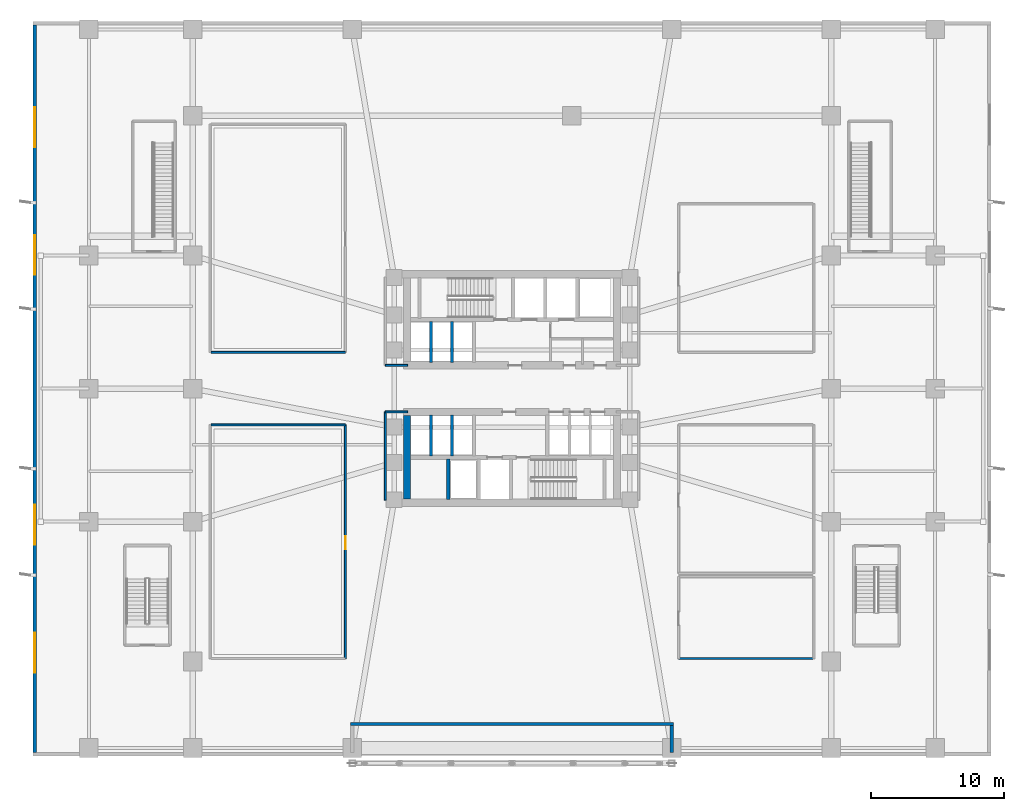
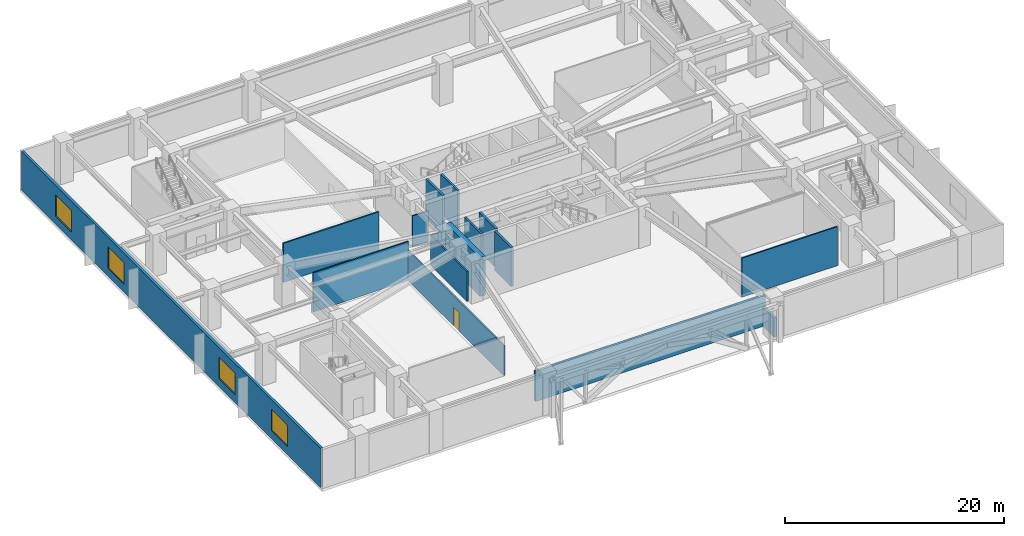
# One storey, part 12 of 21: 16 walls, 4 windows, 1 door, 5 openings.
"""IFC4 building model written with IfcOpenShell, lengths in metres."""

from ifc_helpers import new_model, si_unit, direction, frame, frame_2d, origin, place, context, subcontext, project, spatial, rectangle, extrude, material, layer, layer_set, type_object, element, fill, save


model = new_model("IFC4")

# Units and contexts
model_context = context("Model", 3, precision=1e-05, world=origin(), true_north=direction((0.0, 1.0)))
body_context = subcontext(model_context, "Body", "Model", "MODEL_VIEW")
ifc_project = project(units=[si_unit("LENGTHUNIT", "METRE"), si_unit("AREAUNIT", "SQUARE_METRE"), si_unit("VOLUMEUNIT", "CUBIC_METRE"), si_unit("PLANEANGLEUNIT", "RADIAN"), si_unit("MASSUNIT", "GRAM", prefix="KILO")], contexts=[model_context])

# Site, building, storey
site_placement = place(None, origin())
site = spatial("IfcSite", under=ifc_project, at=site_placement, CompositionType="ELEMENT")
building_placement = place(site_placement, origin())
building = spatial("IfcBuilding", under=site, at=building_placement, Name="Solmarez Civic Tower", CompositionType="ELEMENT")
storey_placement = place(building_placement, frame((0.0, 0.0, 10.080078125)))
storey = spatial("IfcBuildingStorey", under=building, at=storey_placement, Name="L02", CompositionType="ELEMENT", Elevation=10.080078125)

# Wall
ifc_material_1 = material(Name="Concrete C60/75", Category="concrete")
ifc_layer_1 = layer(ifc_material_1, 0.550048828125)
ifc_layer_set_1 = layer_set([ifc_layer_1], Name="Concrete C60/75")
wall_type_1 = type_object("IfcWallType", Name="WALL-CORE-550", PredefinedType="SHEAR", material=ifc_layer_set_1)
wall_1_placement = place(storey_placement, frame((-7.89501953125, -8.31005859375, 0.0), z_axis=(0.0, 0.0, 1.0), x_axis=(0.0, 1.0, 0.0)))
element("IfcWall", 1, at=wall_1_placement, inside=storey, type_object=wall_type_1, Name="L02 Split-Core Structural Wall SCW-W-L02", PredefinedType="SHEAR", context=body_context, shape_type="SweptSolid", body=[
    extrude(rectangle(XDim=6.28515625, YDim=0.550048828125, at=frame_2d((3.142578125, 0.0))), origin(), (0.0, 0.0, 1.0), 4.35986328125),
])

# Wall, openings, windows
ifc_material_2 = material(Name="Precast concrete C40/50", Category="concrete")
ifc_layer_2 = layer(ifc_material_2, 0.260009765625)
ifc_layer_set_2 = layer_set([ifc_layer_2], Name="Precast concrete C40/50")
wall_type_2 = type_object("IfcWallType", Name="WALL-EXT-260", PredefinedType="SOLIDWALL", material=ifc_layer_set_2)
wall_2_placement = place(storey_placement, frame((-35.8701171875, -27.340087890625, 0.0), z_axis=(0.0, 0.0, 1.0), x_axis=(0.0, 1.0, 0.0)))
wall_2 = element("IfcWall", 2, at=wall_2_placement, inside=storey, type_object=wall_type_2, Name="L02 West Exterior Precast Wall", PredefinedType="SOLIDWALL", context=body_context, shape_type="SweptSolid", body=[
    extrude(rectangle(XDim=54.68017578125, YDim=0.260009765625, at=frame_2d((27.340087890625, 0.0))), origin(), (0.0, 0.0, 1.0), 4.35986328125),
])
opening_1_placement = place(wall_2_placement, frame((6.0, 0.0, 0.89990234375)))
opening_1 = element("IfcOpeningElement", 3, at=opening_1_placement, cuts=wall_2, Name="Opening W-15", PredefinedType="OPENING", context=body_context, shape_type="SweptSolid", body=[
    extrude(rectangle(XDim=3.0, YDim=2.39990234375, at=frame_2d((1.5, 1.199951171875))), frame((0.0, 0.139892578125, 0.0), z_axis=(0.0, -1.0, 0.0), x_axis=(1.0, 0.0, 0.0)), (0.0, 0.0, 1.0), 0.280029296875),
])
opening_2_placement = place(wall_2_placement, frame((15.60009765625, 0.0, 0.89990234375)))
opening_2 = element("IfcOpeningElement", 4, at=opening_2_placement, cuts=wall_2, Name="Opening W-15", PredefinedType="OPENING", context=body_context, shape_type="SweptSolid", body=[
    extrude(rectangle(XDim=3.0, YDim=2.39990234375, at=frame_2d((1.5, 1.199951171875))), frame((0.0, 0.139892578125, 0.0), z_axis=(0.0, -1.0, 0.0), x_axis=(1.0, 0.0, 0.0)), (0.0, 0.0, 1.0), 0.280029296875),
])
opening_3_placement = place(wall_2_placement, frame((35.8798828125, 0.0, 0.89990234375)))
opening_3 = element("IfcOpeningElement", 5, at=opening_3_placement, cuts=wall_2, Name="Opening W-15", PredefinedType="OPENING", context=body_context, shape_type="SweptSolid", body=[
    extrude(rectangle(XDim=3.0, YDim=2.39990234375, at=frame_2d((1.5, 1.199951171875))), frame((0.0, 0.139892578125, 0.0), z_axis=(0.0, -1.0, 0.0), x_axis=(1.0, 0.0, 0.0)), (0.0, 0.0, 1.0), 0.280029296875),
])
opening_4_placement = place(wall_2_placement, frame((45.47998046875, 0.0, 0.89990234375)))
opening_4 = element("IfcOpeningElement", 6, at=opening_4_placement, cuts=wall_2, Name="Opening W-15", PredefinedType="OPENING", context=body_context, shape_type="SweptSolid", body=[
    extrude(rectangle(XDim=3.0, YDim=2.39990234375, at=frame_2d((1.5, 1.199951171875))), frame((0.0, 0.139892578125, 0.0), z_axis=(0.0, -1.0, 0.0), x_axis=(1.0, 0.0, 0.0)), (0.0, 0.0, 1.0), 0.280029296875),
])
ifc_material_3 = material(Name="Solar Control Bronze-Tinted Insulating Glass", Category="glass")
window_type = type_object("IfcWindowType", Name="WIN-3000X2400", PartitioningType="SINGLE_PANEL", PredefinedType="WINDOW", material=ifc_material_3)
window_1_placement = place(opening_1_placement, origin())
window_1 = element("IfcWindow", 7, at=window_1_placement, inside=storey, type_object=window_type, Name="L02 Podium Facade Window 1", OverallHeight=2.39990234375, OverallWidth=3.0, PartitioningType="SINGLE_PANEL", PredefinedType="WINDOW", context=body_context, shape_type="SweptSolid", body=[
    extrude(rectangle(XDim=3.0, YDim=2.39990234375, at=frame_2d((1.5, 1.199951171875))), frame((0.0, 0.030029296875, 0.0), z_axis=(0.0, -1.0, 0.0), x_axis=(1.0, 0.0, 0.0)), (0.0, 0.0, 1.0), 0.06005859375),
])
fill(opening_1, window_1)
window_2_placement = place(opening_2_placement, origin())
window_2 = element("IfcWindow", 8, at=window_2_placement, inside=storey, type_object=window_type, Name="L02 Podium Facade Window 2", OverallHeight=2.39990234375, OverallWidth=3.0, PartitioningType="SINGLE_PANEL", PredefinedType="WINDOW", context=body_context, shape_type="SweptSolid", body=[
    extrude(rectangle(XDim=3.0, YDim=2.39990234375, at=frame_2d((1.5, 1.199951171875))), frame((0.0, 0.030029296875, 0.0), z_axis=(0.0, -1.0, 0.0), x_axis=(1.0, 0.0, 0.0)), (0.0, 0.0, 1.0), 0.06005859375),
])
fill(opening_2, window_2)
window_3_placement = place(opening_3_placement, origin())
window_3 = element("IfcWindow", 9, at=window_3_placement, inside=storey, type_object=window_type, Name="L02 Podium Facade Window 3", OverallHeight=2.39990234375, OverallWidth=3.0, PartitioningType="SINGLE_PANEL", PredefinedType="WINDOW", context=body_context, shape_type="SweptSolid", body=[
    extrude(rectangle(XDim=3.0, YDim=2.39990234375, at=frame_2d((1.5, 1.199951171875))), frame((0.0, 0.030029296875, 0.0), z_axis=(0.0, -1.0, 0.0), x_axis=(1.0, 0.0, 0.0)), (0.0, 0.0, 1.0), 0.06005859375),
])
fill(opening_3, window_3)
window_4_placement = place(opening_4_placement, origin())
window_4 = element("IfcWindow", 10, at=window_4_placement, inside=storey, type_object=window_type, Name="L02 Podium Facade Window 4", OverallHeight=2.39990234375, OverallWidth=3.0, PartitioningType="SINGLE_PANEL", PredefinedType="WINDOW", context=body_context, shape_type="SweptSolid", body=[
    extrude(rectangle(XDim=3.0, YDim=2.39990234375, at=frame_2d((1.5, 1.199951171875))), frame((0.0, 0.030029296875, 0.0), z_axis=(0.0, -1.0, 0.0), x_axis=(1.0, 0.0, 0.0)), (0.0, 0.0, 1.0), 0.06005859375),
])
fill(opening_4, window_4)

# Walls
wall_3_placement = place(storey_placement, frame((12.0, -27.340087890625, 0.0), z_axis=(0.0, 0.0, 1.0), x_axis=(0.0, 1.0, 0.0)))
element("IfcWall", 11, at=wall_3_placement, inside=storey, type_object=wall_type_2, Name="L02 South Arch Podium Wall EW-AE-L02", PredefinedType="SOLIDWALL", context=body_context, shape_type="SweptSolid", body=[
    extrude(rectangle(XDim=2.010009765625, YDim=0.260009765625, at=frame_2d((1.0048828125, 0.0))), origin(), (0.0, 0.0, 1.0), 2.15185546875),
])
wall_4_placement = place(storey_placement, frame((12.1298828125, -25.199951171875, 0.0), z_axis=(0.0, 0.0, 1.0), x_axis=(-1.0, 0.0, 0.0)))
element("IfcWall", 12, at=wall_4_placement, inside=storey, type_object=wall_type_2, Name="L02 South Arch Podium Wall EW-ARCH-L02", PredefinedType="SOLIDWALL", context=body_context, shape_type="SweptSolid", body=[
    extrude(rectangle(XDim=24.259765625, YDim=0.260009765625, at=frame_2d((12.1298828125, 0.0))), origin(), (0.0, 0.0, 1.0), 3.369873046875),
])
ifc_material_4 = material(Name="Gypsum Board Acoustic Steel-Stud Partition", Category="steel")
ifc_layer_3 = layer(ifc_material_4, 0.14990234375)
ifc_layer_set_3 = layer_set([ifc_layer_3], Name="Gypsum Board Acoustic Steel-Stud Partition")
wall_type_3 = type_object("IfcWallType", Name="WALL-INT-FIRE-150", PredefinedType="PARTITIONING", material=ifc_layer_set_3)
wall_5_placement = place(storey_placement, frame((-7.85009765625, 1.75, 0.0), z_axis=(0.0, 0.0, 1.0), x_axis=(-1.0, 0.0, 0.0)))
element("IfcWall", 13, at=wall_5_placement, inside=storey, type_object=wall_type_3, Name="L02 Interior Partition CHW-L02-WN3", PredefinedType="PARTITIONING", context=body_context, shape_type="SweptSolid", body=[
    extrude(rectangle(XDim=1.669921875, YDim=0.14990234375, at=frame_2d((0.8349609375, 0.0))), origin(), (0.0, 0.0, 1.0), 3.4248046875),
])
wall_6_placement = place(storey_placement, frame((-9.52001953125, -8.3798828125, 0.0), z_axis=(0.0, 0.0, 1.0), x_axis=(0.0, 1.0, 0.0)))
element("IfcWall", 14, at=wall_6_placement, inside=storey, type_object=wall_type_3, Name="L02 Interior Partition CHW-L02-WS1", PredefinedType="PARTITIONING", context=body_context, shape_type="SweptSolid", body=[
    extrude(rectangle(XDim=6.6298828125, YDim=0.14990234375, at=frame_2d((3.31494140625, 0.0))), origin(), (0.0, 0.0, 1.0), 3.369873046875),
])
wall_7_placement = place(storey_placement, frame((-7.85009765625, -1.75, 0.0), z_axis=(0.0, 0.0, 1.0), x_axis=(-1.0, 0.0, 0.0)))
element("IfcWall", 15, at=wall_7_placement, inside=storey, type_object=wall_type_3, Name="L02 Interior Partition CHW-L02-WS3", PredefinedType="PARTITIONING", context=body_context, shape_type="SweptSolid", body=[
    extrude(rectangle(XDim=1.669921875, YDim=0.14990234375, at=frame_2d((0.8349609375, 0.0))), origin(), (0.0, 0.0, 1.0), 3.4248046875),
])
ifc_layer_4 = layer(ifc_material_4, 0.14501953125)
ifc_layer_set_4 = layer_set([ifc_layer_4], Name="Gypsum Board Acoustic Steel-Stud Partition")
wall_type_4 = type_object("IfcWallType", Name="WALL-INT-PART-150", PredefinedType="PARTITIONING", material=ifc_layer_set_4)
wall_8_placement = place(storey_placement, frame((-22.60009765625, 2.719970703125, 0.0), z_axis=(0.0, 0.0, 1.0), x_axis=(1.0, 0.0, 0.0)))
element("IfcWall", 16, at=wall_8_placement, inside=storey, type_object=wall_type_4, Name="L02 Interior Partition PT-L0X-L02-CHAM-S", PredefinedType="PARTITIONING", context=body_context, shape_type="SweptSolid", body=[
    extrude(rectangle(XDim=10.080078125, YDim=0.14501953125, at=frame_2d((5.0400390625, 0.0))), origin(), (0.0, 0.0, 1.0), 4.35986328125),
])

# Wall, opening, door
wall_9_placement = place(storey_placement, frame((-12.52001953125, -2.719970703125, 0.0), z_axis=(0.0, 0.0, 1.0), x_axis=(0.0, -1.0, 0.0)))
wall_9 = element("IfcWall", 17, at=wall_9_placement, inside=storey, type_object=wall_type_4, Name="L02 Interior Partition PT-L0X-L02-SW1-F", PredefinedType="PARTITIONING", context=body_context, shape_type="SweptSolid", body=[
    extrude(rectangle(XDim=17.56005859375, YDim=0.14501953125, at=frame_2d((8.780029296875, 0.0))), origin(), (0.0, 0.0, 1.0), 3.369873046875),
])
opening_5_placement = place(wall_9_placement, frame((8.360107421875, 0.0, 0.0)))
opening_5 = element("IfcOpeningElement", 18, at=opening_5_placement, cuts=wall_9, Name="Opening D-04", PredefinedType="OPENING", context=body_context, shape_type="SweptSolid", body=[
    extrude(rectangle(XDim=1.0, YDim=2.10009765625, at=frame_2d((0.5, 1.050048828125))), frame((0.0, 0.08251953125, 0.0), z_axis=(0.0, -1.0, 0.0), x_axis=(1.0, 0.0, 0.0)), (0.0, 0.0, 1.0), 0.1650390625),
])
ifc_material_5 = material(Name="Steel-Faced Acoustic Fire Door", Category="steel")
door_type = type_object("IfcDoorType", Name="DOOR-FD60-1000", OperationType="NOTDEFINED", PredefinedType="DOOR", material=ifc_material_5)
door_placement = place(opening_5_placement, origin())
door = element("IfcDoor", 19, at=door_placement, inside=storey, type_object=door_type, Name="L02 Public Hearing Chamber Conference Room Door", OperationType="SINGLE_SWING_RIGHT", OverallHeight=2.10009765625, OverallWidth=1.0, PredefinedType="DOOR", context=body_context, shape_type="SweptSolid", body=[
    extrude(rectangle(XDim=1.0, YDim=2.10009765625, at=frame_2d((0.5, 1.050048828125))), frame((0.0, 0.02490234375, 0.0), z_axis=(0.0, -1.0, 0.0), x_axis=(1.0, 0.0, 0.0)), (0.0, 0.0, 1.0), 0.050048828125),
])
fill(opening_5, door)

# Walls
for number, where, z_axis, x_axis, name in (
    (20, (-22.60009765625, -2.719970703125, 0.0), (0.0, 0.0, 1.0), (1.0, 0.0, 0.0), "L02 Interior Partition PT-L0X-L02-SW1-N"),
    (21, (12.52001953125, -20.280029296875, 0.0), (0.0, 0.0, 1.0), (1.0, 0.0, 0.0), "L02 Interior Partition PT-L0X-L02-WC2-S"),
):
    element("IfcWall", number, at=place(storey_placement, frame(where, z_axis=z_axis, x_axis=x_axis)), inside=storey, type_object=wall_type_4, Name=name, PredefinedType="PARTITIONING", context=body_context, shape_type="SweptSolid", body=[
        extrude(rectangle(XDim=10.080078125, YDim=0.14501953125, at=frame_2d((5.0400390625, 0.0))), origin(), (0.0, 0.0, 1.0), 4.35986328125),
    ])
ifc_material_6 = material(Name="Concrete C50/60", Category="concrete")
ifc_layer_5 = layer(ifc_material_6, 0.300048828125)
ifc_layer_set_5 = layer_set([ifc_layer_5], Name="Concrete C50/60")
wall_type_5 = type_object("IfcWallType", Name="WALL-STR-300", PredefinedType="SOLIDWALL", material=ifc_layer_set_5)
wall_10_placement = place(storey_placement, frame((-4.800048828125, -8.340087890625, 0.0), z_axis=(0.0, 0.0, 1.0), x_axis=(0.0, 1.0, 0.0)))
element("IfcWall", 22, at=wall_10_placement, inside=storey, type_object=wall_type_5, Name="L02 Split-Core Structural Wall SHW-S3-L02", PredefinedType="SOLIDWALL", context=body_context, shape_type="SweptSolid", body=[
    extrude(rectangle(XDim=3.0400390625, YDim=0.25, at=frame_2d((1.52001953125, 0.0))), origin(), (0.0, 0.0, 1.0), 4.35986328125),
])
for number, where, z_axis, x_axis, name in (
    (23, (-6.080078125, 1.97998046875, 0.0), (0.0, 0.0, 1.0), (0.0, 1.0, 0.0), "L02 Split-Core Structural Wall SHW-PLH-L02-1"),
    (24, (-4.52001953125, 1.97998046875, 0.0), (0.0, 0.0, 1.0), (0.0, 1.0, 0.0), "L02 Split-Core Structural Wall SHW-PLH-L02-2"),
    (25, (-6.080078125, -5.050048828125, 0.0), (0.0, 0.0, 1.0), (0.0, 1.0, 0.0), "L02 Split-Core Structural Wall SHW-PLM-L02-1"),
    (26, (-4.52001953125, -5.050048828125, 0.0), (0.0, 0.0, 1.0), (0.0, 1.0, 0.0), "L02 Split-Core Structural Wall SHW-PLM-L02-2"),
):
    element("IfcWall", number, at=place(storey_placement, frame(where, z_axis=z_axis, x_axis=x_axis)), inside=storey, type_object=wall_type_5, Name=name, PredefinedType="SOLIDWALL", context=body_context, shape_type="SweptSolid", body=[
        extrude(rectangle(XDim=3.070068359375, YDim=0.219970703125, at=frame_2d((1.53515625, 0.0))), origin(), (0.0, 0.0, 1.0), 4.35986328125),
    ])

save(model, "model.ifc")
